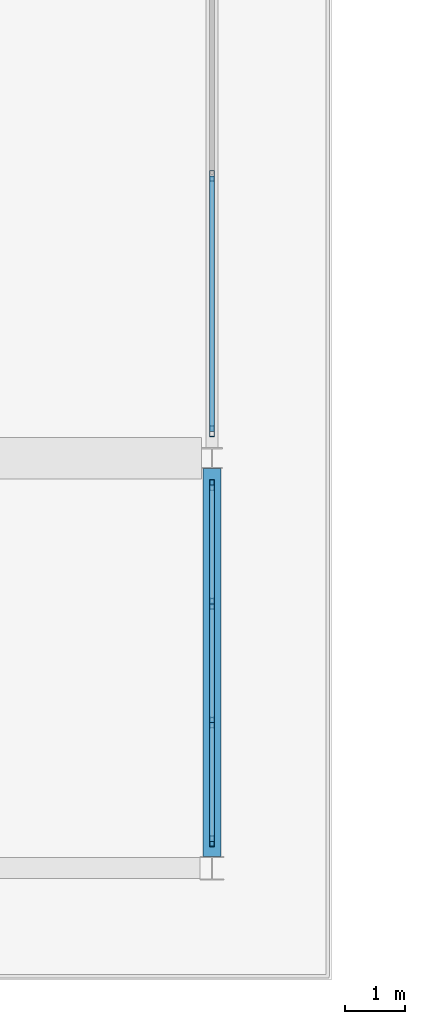
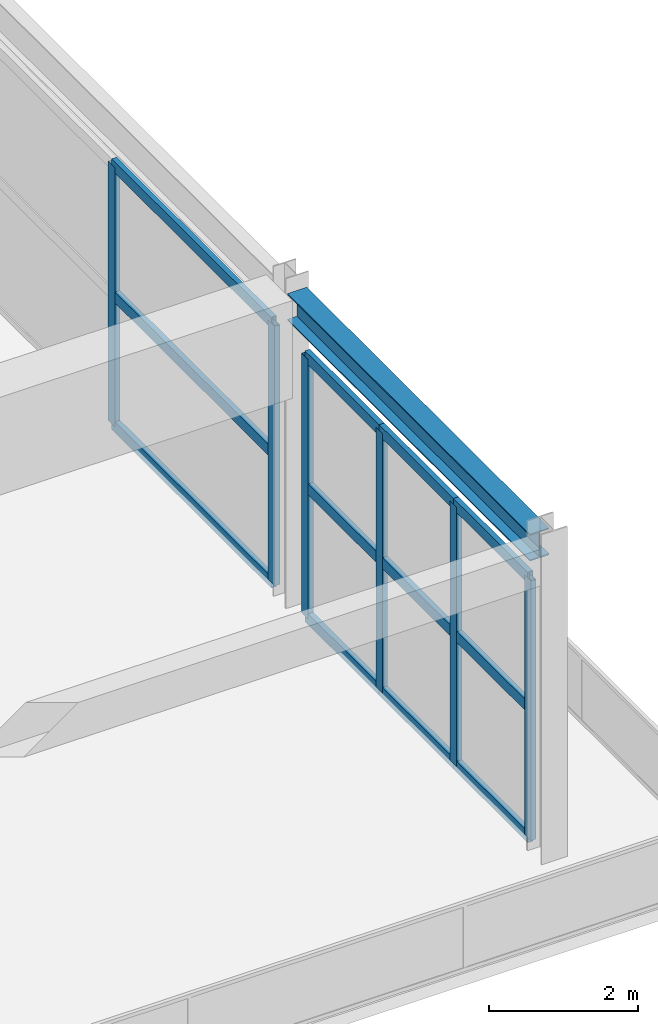
# One storey, part 27 of 117: 18 members, 1 beam, 2 elements without a shape of their own.
"""IFC4 building model written with IfcOpenShell, lengths in metres."""

from ifc_helpers import new_model, si_unit, direction, frame, origin, origin_2d, place, context, subcontext, project, spatial, hollow_rectangle, i_section, extrude, material, material_profile, profile_set, type_object, element, aggregate, save


model = new_model("IFC4")

# Units and contexts
model_context = context("Model", 3, precision=1e-05, world=origin(), true_north=direction((0.0, 1.0)))
body_context = subcontext(model_context, "Body", "Model", "MODEL_VIEW")
ifc_project = project(units=[si_unit("LENGTHUNIT", "METRE"), si_unit("AREAUNIT", "SQUARE_METRE"), si_unit("VOLUMEUNIT", "CUBIC_METRE"), si_unit("PLANEANGLEUNIT", "RADIAN"), si_unit("MASSUNIT", "GRAM", prefix="KILO")], contexts=[model_context])

# Site, building, storey
site_placement = place(None, origin())
site = spatial("IfcSite", under=ifc_project, at=site_placement, CompositionType="ELEMENT")
building_placement = place(site_placement, origin())
building = spatial("IfcBuilding", under=site, at=building_placement, Name="Linyun Crest Stadium", CompositionType="ELEMENT")
storey_placement = place(building_placement, frame((0.0, 0.0, 6.0)))
storey = spatial("IfcBuildingStorey", under=building, at=storey_placement, Name="L02", CompositionType="ELEMENT", Elevation=6.0)

# Beam
ifc_material_1 = material(Name="Steel Q355C", Category="steel")
ifc_material_profile_1 = material_profile(ifc_material_1, i_section(OverallWidth=0.300048828125, OverallDepth=0.43994140625, WebThickness=0.010986328125, FlangeThickness=0.01806640625, at=origin_2d()), Name="HM 440x300")
ifc_profile_set_1 = profile_set([ifc_material_profile_1], Name="Steel Q355C")
beam_type = type_object("IfcBeamType", Name="B07", PredefinedType="BEAM", material=ifc_profile_set_1)
beam_placement = place(storey_placement, frame((-58.0, -93.925048828125, 4.929931640625), z_axis=(0.0, 1.0, 0.0), x_axis=(-1.0, 0.0, 0.0)))
element("IfcBeam", 1, at=beam_placement, inside=storey, type_object=beam_type, Name="Frame beam B07 L02 1107", PredefinedType="BEAM", context=body_context, shape_type="SweptSolid", body=[
    extrude(i_section(OverallWidth=0.300048828125, OverallDepth=0.43994140625, WebThickness=0.010986328125, FlangeThickness=0.01806640625, at=origin_2d()), origin(), (0.0, 0.0, 1.0), 6.5),
])

# Curtain wall, members
ifc_material_2 = material(Name="Verdigris steel and low-E curtain wall assembly", Category="steel")
curtain_wall_type = type_object("IfcCurtainWallType", Name="MCW05", PredefinedType="NOTDEFINED", material=ifc_material_2)
curtain_wall_1_placement = place(storey_placement, origin())
curtain_wall_1 = element("IfcCurtainWall", 2, at=curtain_wall_1_placement, inside=storey, type_object=curtain_wall_type, Name="CWR-158", PredefinedType="NOTDEFINED")
ifc_material_3 = material(Name="Verdigris painted steel Q355B mullion", Category="steel")
ifc_material_profile_2 = material_profile(ifc_material_3, hollow_rectangle(XDim=0.080078125, YDim=0.179931640625, WallThickness=0.006103515625, at=origin_2d()), Name="RHS 180x80x6")
ifc_profile_set_2 = profile_set([ifc_material_profile_2], Name="Verdigris painted steel Q355B mullion")
member_type_1 = type_object("IfcMemberType", Name="ML02", PredefinedType="MULLION", material=ifc_profile_set_2)
member_1_placement = place(storey_placement, frame((-58.0, -93.675048828125, 0.0), z_axis=(0.0, 0.0, 1.0), x_axis=(-1.0, 0.0, 0.0)))
member_1 = element("IfcMember", 3, at=member_1_placement, type_object=member_type_1, Name="CWR-158 mullion 1", PredefinedType="MULLION", context=body_context, shape_type="SweptSolid", body=[
    extrude(hollow_rectangle(XDim=0.080078125, YDim=0.179931640625, WallThickness=0.006103515625, at=origin_2d()), origin(), (0.0, 0.0, 1.0), 4.25),
])
member_2_placement = place(storey_placement, frame((-58.0, -91.68310546875, 0.0), z_axis=(0.0, 0.0, 1.0), x_axis=(-1.0, 0.0, 0.0)))
member_2 = element("IfcMember", 4, at=member_2_placement, type_object=member_type_1, Name="CWR-158 mullion 2", PredefinedType="MULLION", context=body_context, shape_type="SweptSolid", body=[
    extrude(hollow_rectangle(XDim=0.080078125, YDim=0.179931640625, WallThickness=0.006103515625, at=origin_2d()), origin(), (0.0, 0.0, 1.0), 4.25),
])
member_3_placement = place(storey_placement, frame((-58.0, -89.69189453125, 0.0), z_axis=(0.0, 0.0, 1.0), x_axis=(-1.0, 0.0, 0.0)))
member_3 = element("IfcMember", 5, at=member_3_placement, type_object=member_type_1, Name="CWR-158 mullion 3", PredefinedType="MULLION", context=body_context, shape_type="SweptSolid", body=[
    extrude(hollow_rectangle(XDim=0.080078125, YDim=0.179931640625, WallThickness=0.006103515625, at=origin_2d()), origin(), (0.0, 0.0, 1.0), 4.25),
])
member_4_placement = place(storey_placement, frame((-58.0, -87.699951171875, 0.0), z_axis=(0.0, 0.0, 1.0), x_axis=(-1.0, 0.0, 0.0)))
member_4 = element("IfcMember", 6, at=member_4_placement, type_object=member_type_1, Name="CWR-158 mullion 4", PredefinedType="MULLION", context=body_context, shape_type="SweptSolid", body=[
    extrude(hollow_rectangle(XDim=0.080078125, YDim=0.179931640625, WallThickness=0.006103515625, at=origin_2d()), origin(), (0.0, 0.0, 1.0), 4.25),
])

curtain_wall_2_placement = place(storey_placement, origin())
curtain_wall_2 = element("IfcCurtainWall", 7, at=curtain_wall_2_placement, inside=storey, type_object=curtain_wall_type, Name="CWR-159", PredefinedType="NOTDEFINED")
member_5_placement = place(storey_placement, frame((-58.0, -86.800048828125, 0.0), z_axis=(0.0, 0.0, 1.0), x_axis=(-1.0, 0.0, 0.0)))
member_5 = element("IfcMember", 8, at=member_5_placement, type_object=member_type_1, Name="CWR-159 mullion 1", PredefinedType="MULLION", context=body_context, shape_type="SweptSolid", body=[
    extrude(hollow_rectangle(XDim=0.080078125, YDim=0.179931640625, WallThickness=0.006103515625, at=origin_2d()), origin(), (0.0, 0.0, 1.0), 4.25),
])
member_6_placement = place(storey_placement, frame((-58.0, -82.51708984375, 0.0), z_axis=(0.0, 0.0, 1.0), x_axis=(-1.0, 0.0, 0.0)))
member_6 = element("IfcMember", 9, at=member_6_placement, type_object=member_type_1, Name="CWR-159 mullion 2", PredefinedType="MULLION", context=body_context, shape_type="SweptSolid", body=[
    extrude(hollow_rectangle(XDim=0.080078125, YDim=0.179931640625, WallThickness=0.006103515625, at=origin_2d()), origin(), (0.0, 0.0, 1.0), 4.25),
])

# Member
ifc_material_4 = material(Name="Verdigris painted steel Q355B transom", Category="steel")
ifc_material_profile_3 = material_profile(ifc_material_4, hollow_rectangle(XDim=0.080078125, YDim=0.179931640625, WallThickness=0.006103515625, at=origin_2d()), Name="RHS 180x80x6")
ifc_profile_set_3 = profile_set([ifc_material_profile_3], Name="Verdigris painted steel Q355B transom")
member_type_2 = type_object("IfcMemberType", Name="TR02", PredefinedType="USERDEFINED", material=ifc_profile_set_3)
member_7_placement = place(storey_placement, frame((-58.0, -93.675048828125, 0.0), z_axis=(0.0, 1.0, 0.0), x_axis=(-1.0, 0.0, 0.0)))
member_7 = element("IfcMember", 10, at=member_7_placement, type_object=member_type_2, Name="CWR-158 transom 1.1", ObjectType="TRANSOM", PredefinedType="USERDEFINED", context=body_context, shape_type="SweptSolid", body=[
    extrude(hollow_rectangle(XDim=0.080078125, YDim=0.179931640625, WallThickness=0.006103515625, at=origin_2d()), origin(), (0.0, 0.0, 1.0), 1.991943359375),
])

member_8_placement = place(storey_placement, frame((-58.0, -93.675048828125, 2.125), z_axis=(0.0, 1.0, 0.0), x_axis=(-1.0, 0.0, 0.0)))
member_8 = element("IfcMember", 11, at=member_8_placement, type_object=member_type_2, Name="CWR-158 transom 1.2", ObjectType="TRANSOM", PredefinedType="USERDEFINED", context=body_context, shape_type="SweptSolid", body=[
    extrude(hollow_rectangle(XDim=0.080078125, YDim=0.179931640625, WallThickness=0.006103515625, at=origin_2d()), origin(), (0.0, 0.0, 1.0), 1.991943359375),
])

member_9_placement = place(storey_placement, frame((-58.0, -93.675048828125, 4.25), z_axis=(0.0, 1.0, 0.0), x_axis=(-1.0, 0.0, 0.0)))
member_9 = element("IfcMember", 12, at=member_9_placement, type_object=member_type_2, Name="CWR-158 transom 1.3", ObjectType="TRANSOM", PredefinedType="USERDEFINED", context=body_context, shape_type="SweptSolid", body=[
    extrude(hollow_rectangle(XDim=0.080078125, YDim=0.179931640625, WallThickness=0.006103515625, at=origin_2d()), origin(), (0.0, 0.0, 1.0), 1.991943359375),
])

member_10_placement = place(storey_placement, frame((-58.0, -91.68310546875, 0.0), z_axis=(0.0, 1.0, 0.0), x_axis=(-1.0, 0.0, 0.0)))
member_10 = element("IfcMember", 13, at=member_10_placement, type_object=member_type_2, Name="CWR-158 transom 2.1", ObjectType="TRANSOM", PredefinedType="USERDEFINED", context=body_context, shape_type="SweptSolid", body=[
    extrude(hollow_rectangle(XDim=0.080078125, YDim=0.179931640625, WallThickness=0.006103515625, at=origin_2d()), origin(), (0.0, 0.0, 1.0), 1.9912109375),
])

member_11_placement = place(storey_placement, frame((-58.0, -91.68310546875, 2.125), z_axis=(0.0, 1.0, 0.0), x_axis=(-1.0, 0.0, 0.0)))
member_11 = element("IfcMember", 14, at=member_11_placement, type_object=member_type_2, Name="CWR-158 transom 2.2", ObjectType="TRANSOM", PredefinedType="USERDEFINED", context=body_context, shape_type="SweptSolid", body=[
    extrude(hollow_rectangle(XDim=0.080078125, YDim=0.179931640625, WallThickness=0.006103515625, at=origin_2d()), origin(), (0.0, 0.0, 1.0), 1.9912109375),
])

member_12_placement = place(storey_placement, frame((-58.0, -91.68310546875, 4.25), z_axis=(0.0, 1.0, 0.0), x_axis=(-1.0, 0.0, 0.0)))
member_12 = element("IfcMember", 15, at=member_12_placement, type_object=member_type_2, Name="CWR-158 transom 2.3", ObjectType="TRANSOM", PredefinedType="USERDEFINED", context=body_context, shape_type="SweptSolid", body=[
    extrude(hollow_rectangle(XDim=0.080078125, YDim=0.179931640625, WallThickness=0.006103515625, at=origin_2d()), origin(), (0.0, 0.0, 1.0), 1.9912109375),
])

member_13_placement = place(storey_placement, frame((-58.0, -89.69189453125, 0.0), z_axis=(0.0, 1.0, 0.0), x_axis=(-1.0, 0.0, 0.0)))
member_13 = element("IfcMember", 16, at=member_13_placement, type_object=member_type_2, Name="CWR-158 transom 3.1", ObjectType="TRANSOM", PredefinedType="USERDEFINED", context=body_context, shape_type="SweptSolid", body=[
    extrude(hollow_rectangle(XDim=0.080078125, YDim=0.179931640625, WallThickness=0.006103515625, at=origin_2d()), origin(), (0.0, 0.0, 1.0), 1.991943359375),
])

member_14_placement = place(storey_placement, frame((-58.0, -89.69189453125, 2.125), z_axis=(0.0, 1.0, 0.0), x_axis=(-1.0, 0.0, 0.0)))
member_14 = element("IfcMember", 17, at=member_14_placement, type_object=member_type_2, Name="CWR-158 transom 3.2", ObjectType="TRANSOM", PredefinedType="USERDEFINED", context=body_context, shape_type="SweptSolid", body=[
    extrude(hollow_rectangle(XDim=0.080078125, YDim=0.179931640625, WallThickness=0.006103515625, at=origin_2d()), origin(), (0.0, 0.0, 1.0), 1.991943359375),
])

member_15_placement = place(storey_placement, frame((-58.0, -89.69189453125, 4.25), z_axis=(0.0, 1.0, 0.0), x_axis=(-1.0, 0.0, 0.0)))
member_15 = element("IfcMember", 18, at=member_15_placement, type_object=member_type_2, Name="CWR-158 transom 3.3", ObjectType="TRANSOM", PredefinedType="USERDEFINED", context=body_context, shape_type="SweptSolid", body=[
    extrude(hollow_rectangle(XDim=0.080078125, YDim=0.179931640625, WallThickness=0.006103515625, at=origin_2d()), origin(), (0.0, 0.0, 1.0), 1.991943359375),
])

aggregate(curtain_wall_1, [member_1, member_2, member_3, member_4, member_7, member_8, member_9, member_10, member_11, member_12, member_13, member_14, member_15])

member_16_placement = place(storey_placement, frame((-58.0, -86.800048828125, 0.0), z_axis=(0.0, 1.0, 0.0), x_axis=(-1.0, 0.0, 0.0)))
member_16 = element("IfcMember", 19, at=member_16_placement, type_object=member_type_2, Name="CWR-159 transom 1.1", ObjectType="TRANSOM", PredefinedType="USERDEFINED", context=body_context, shape_type="SweptSolid", body=[
    extrude(hollow_rectangle(XDim=0.080078125, YDim=0.179931640625, WallThickness=0.006103515625, at=origin_2d()), origin(), (0.0, 0.0, 1.0), 4.282958984375),
])

member_17_placement = place(storey_placement, frame((-58.0, -86.800048828125, 2.125), z_axis=(0.0, 1.0, 0.0), x_axis=(-1.0, 0.0, 0.0)))
member_17 = element("IfcMember", 20, at=member_17_placement, type_object=member_type_2, Name="CWR-159 transom 1.2", ObjectType="TRANSOM", PredefinedType="USERDEFINED", context=body_context, shape_type="SweptSolid", body=[
    extrude(hollow_rectangle(XDim=0.080078125, YDim=0.179931640625, WallThickness=0.006103515625, at=origin_2d()), origin(), (0.0, 0.0, 1.0), 4.282958984375),
])

member_18_placement = place(storey_placement, frame((-58.0, -86.800048828125, 4.25), z_axis=(0.0, 1.0, 0.0), x_axis=(-1.0, 0.0, 0.0)))
member_18 = element("IfcMember", 21, at=member_18_placement, type_object=member_type_2, Name="CWR-159 transom 1.3", ObjectType="TRANSOM", PredefinedType="USERDEFINED", context=body_context, shape_type="SweptSolid", body=[
    extrude(hollow_rectangle(XDim=0.080078125, YDim=0.179931640625, WallThickness=0.006103515625, at=origin_2d()), origin(), (0.0, 0.0, 1.0), 4.282958984375),
])

aggregate(curtain_wall_2, [member_5, member_6, member_16, member_17, member_18])

save(model, "model.ifc")
